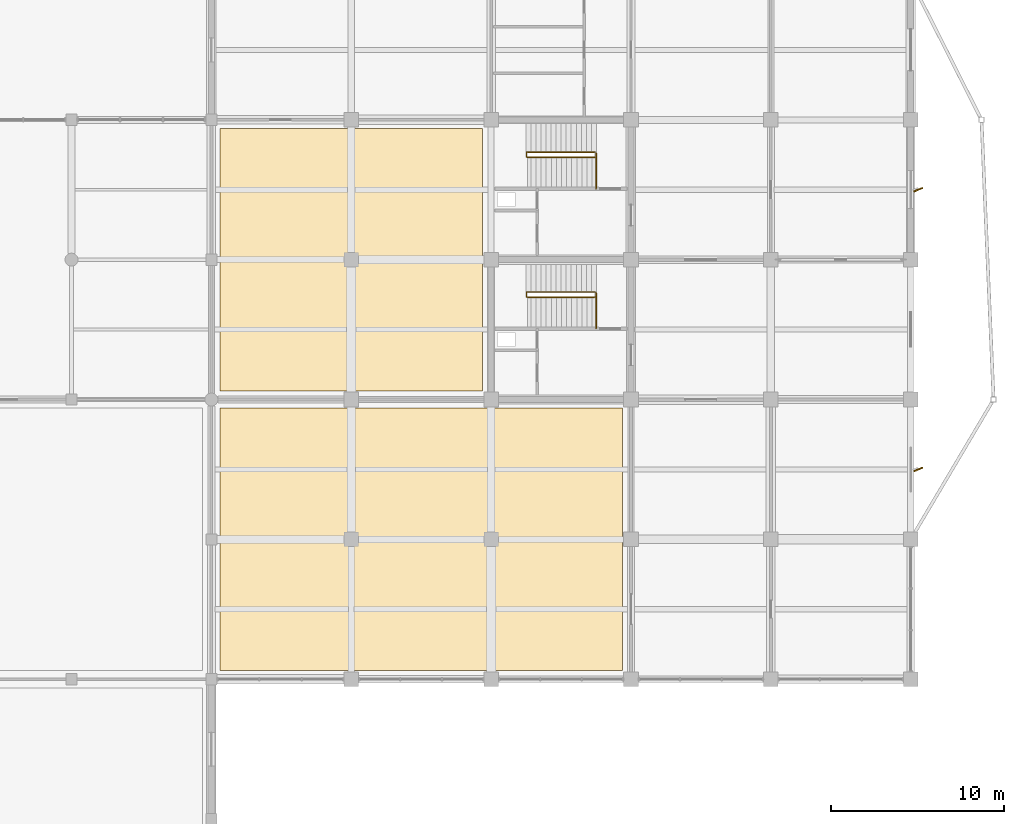
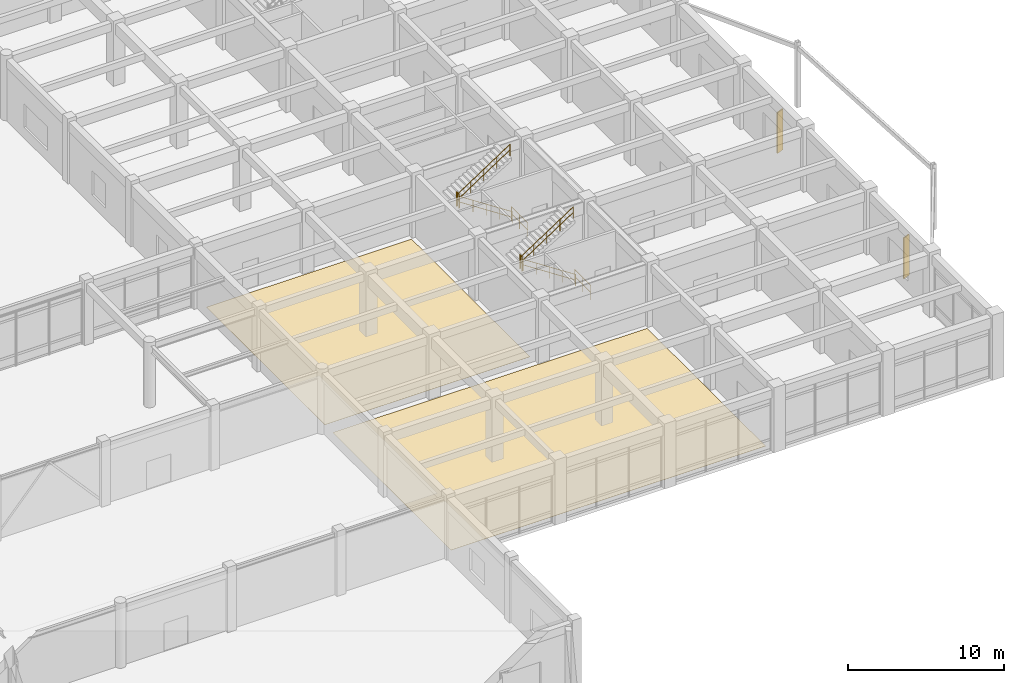
# One storey, part 95 of 99: 8 railings, 2 coverings, 2 shading devices.
"""IFC4 building model written with IfcOpenShell, lengths in metres."""

from ifc_helpers import new_model, si_unit, direction, frame, origin, origin_2d, place, context, subcontext, project, spatial, polyline, rectangle, circle, outline, extrude, material, layer, layer_set, type_object, element, save


model = new_model("IFC4")

# Units and contexts
model_context = context("Model", 3, precision=1e-05, world=origin(), true_north=direction((0.0, 1.0)))
body_context = subcontext(model_context, "Body", "Model", "MODEL_VIEW")
ifc_project = project(units=[si_unit("LENGTHUNIT", "METRE"), si_unit("AREAUNIT", "SQUARE_METRE"), si_unit("VOLUMEUNIT", "CUBIC_METRE"), si_unit("PLANEANGLEUNIT", "RADIAN"), si_unit("MASSUNIT", "GRAM", prefix="KILO")], contexts=[model_context])

# Site, building, storey
site_placement = place(None, origin())
site = spatial("IfcSite", under=ifc_project, at=site_placement, CompositionType="ELEMENT")
building_placement = place(site_placement, origin())
building = spatial("IfcBuilding", under=site, at=building_placement, Name="Vaudrelin Polytechnic", CompositionType="ELEMENT")
storey_placement = place(building_placement, origin())
storey = spatial("IfcBuildingStorey", under=building, at=storey_placement, Name="L00", CompositionType="ELEMENT", Elevation=0.0)

# Coverings
ifc_material_1 = material(Name="Seamless chemical-resistant laboratory epoxy", Category="flooring")
ifc_layer = layer(ifc_material_1, 0.011962890625)
ifc_layer_set = layer_set([ifc_layer], Name="Seamless chemical-resistant laboratory epoxy")
covering_type = type_object("IfcCoveringType", Name="COV-FLR-EPX", PredefinedType="FLOORING", material=ifc_layer_set)
covering_1_placement = place(storey_placement, origin())
element("IfcCovering", 1, at=covering_1_placement, inside=storey, type_object=covering_type, Name="Chemical-resistant flooring L00-020", PredefinedType="FLOORING", context=body_context, shape_type="SweptSolid", body=[
    extrude(outline(polyline([(130.10009765625, 16.699951171875), (153.39990234375, 16.699951171875), (153.39990234375, 31.89990234375), (130.10009765625, 31.89990234375), (130.10009765625, 16.699951171875)])), origin(), (0.0, 0.0, 1.0), 0.011962890625),
])
covering_2_placement = place(storey_placement, origin())
element("IfcCovering", 2, at=covering_2_placement, inside=storey, type_object=covering_type, Name="Chemical-resistant flooring L00-021", PredefinedType="FLOORING", context=body_context, shape_type="SweptSolid", body=[
    extrude(outline(polyline([(130.10009765625, 32.89990234375), (145.300048828125, 32.89990234375), (145.300048828125, 48.10009765625), (130.10009765625, 48.10009765625), (130.10009765625, 32.89990234375)])), origin(), (0.0, 0.0, 1.0), 0.011962890625),
])

# Shading devices
ifc_material_2 = material(Name="Anodised perforated aluminium AA 5005", Category="aluminium")
shading_device_type = type_object("IfcShadingDeviceType", Name="ENV-SF-FIN1", PredefinedType="USERDEFINED", material=ifc_material_2)
for number, where, z_axis, x_axis, name in (
    (3, (170.534912109375, 28.35009765625, 0.2001953125), (0.0, 0.0, 1.0), (0.927183854567, 0.374606593416, 0.0), "Perforated solar fin SF-011"),
    (4, (170.534912109375, 44.550048828125, 0.2001953125), (0.0, 0.0, 1.0), (0.927183854567, 0.374606593416, 0.0), "Perforated solar fin SF-012"),
):
    element("IfcShadingDevice", number, at=place(storey_placement, frame(where, z_axis=z_axis, x_axis=x_axis)), inside=storey, type_object=shading_device_type, Name=name, ObjectType="SOLAR FIN", PredefinedType="USERDEFINED", context=body_context, shape_type="SweptSolid", body=[
        extrude(rectangle(XDim=0.550048828125, YDim=0.080078125, at=origin_2d()), origin(), (0.0, 0.0, 1.0), 3.199951171875),
    ])

# Railings
ifc_material_3 = material(Name="Brushed stainless steel AISI 304", Category="steel")
railing_type_1 = type_object("IfcRailingType", Name="RAL-GR-INT", PredefinedType="GUARDRAIL", material=ifc_material_3)
railing_1_placement = place(storey_placement, frame((151.8798828125, 36.510009765625, 0.0)))
element("IfcRailing", 5, at=railing_1_placement, inside=storey, type_object=railing_type_1, Name="ST-08-B1 upper well guardrail", PredefinedType="GUARDRAIL", context=body_context, shape_type="SweptSolid", body=[
    extrude(circle(Radius=0.02392578125, at=origin_2d()), frame((0.0, 0.023193359375, 1.09619140625), z_axis=(0.0, 1.0, 0.0), x_axis=(-1.0, 0.0, 0.0)), (0.0, 0.0, 1.0), 2.02392578125),
    extrude(circle(Radius=0.02392578125, at=origin_2d()), frame((0.0, 0.023193359375, 0.56005859375), z_axis=(0.0, 1.0, 0.0), x_axis=(-1.0, 0.0, 0.0)), (0.0, 0.0, 1.0), 2.02392578125),
    extrude(circle(Radius=0.02099609375, at=origin_2d()), origin(), (0.0, 0.0, 1.0), 1.1201171875),
    extrude(circle(Radius=0.02099609375, at=origin_2d()), frame((0.0, 1.03515625, 0.0)), (0.0, 0.0, 1.0), 1.1201171875),
    extrude(circle(Radius=0.02099609375, at=origin_2d()), frame((0.0, 2.070068359375, 0.0)), (0.0, 0.0, 1.0), 1.1201171875),
])
railing_2_placement = place(storey_placement, frame((147.85009765625, 38.340087890625, 2.550048828125)))
element("IfcRailing", 6, at=railing_2_placement, inside=storey, type_object=railing_type_1, Name="ST-08-L00 landing well guardrail", PredefinedType="GUARDRAIL", context=body_context, shape_type="SweptSolid", body=[
    extrude(circle(Radius=0.02392578125, at=origin_2d()), frame((0.0, 0.023193359375, 1.09619140625), z_axis=(0.0, 1.0, 0.0), x_axis=(-1.0, 0.0, 0.0)), (0.0, 0.0, 1.0), 0.23388671875),
    extrude(circle(Radius=0.02392578125, at=origin_2d()), frame((0.0, 0.023193359375, 0.56005859375), z_axis=(0.0, 1.0, 0.0), x_axis=(-1.0, 0.0, 0.0)), (0.0, 0.0, 1.0), 0.23388671875),
    extrude(circle(Radius=0.02099609375, at=origin_2d()), origin(), (0.0, 0.0, 1.0), 1.1201171875),
    extrude(circle(Radius=0.02099609375, at=origin_2d()), frame((0.0, 0.280029296875, 0.0)), (0.0, 0.0, 1.0), 1.1201171875),
])
railing_3_placement = place(storey_placement, frame((151.8798828125, 44.610107421875, 0.0)))
element("IfcRailing", 7, at=railing_3_placement, inside=storey, type_object=railing_type_1, Name="ST-12-B1 upper well guardrail", PredefinedType="GUARDRAIL", context=body_context, shape_type="SweptSolid", body=[
    extrude(circle(Radius=0.02392578125, at=origin_2d()), frame((0.0, 0.023193359375, 1.09619140625), z_axis=(0.0, 1.0, 0.0), x_axis=(-1.0, 0.0, 0.0)), (0.0, 0.0, 1.0), 2.023681640625),
    extrude(circle(Radius=0.02392578125, at=origin_2d()), frame((0.0, 0.023193359375, 0.56005859375), z_axis=(0.0, 1.0, 0.0), x_axis=(-1.0, 0.0, 0.0)), (0.0, 0.0, 1.0), 2.023681640625),
    extrude(circle(Radius=0.02099609375, at=origin_2d()), origin(), (0.0, 0.0, 1.0), 1.1201171875),
    extrude(circle(Radius=0.02099609375, at=origin_2d()), frame((0.0, 1.034912109375, 0.0)), (0.0, 0.0, 1.0), 1.1201171875),
    extrude(circle(Radius=0.02099609375, at=origin_2d()), frame((0.0, 2.06982421875, 0.0)), (0.0, 0.0, 1.0), 1.1201171875),
])
railing_4_placement = place(storey_placement, frame((147.85009765625, 46.43994140625, 2.550048828125)))
element("IfcRailing", 8, at=railing_4_placement, inside=storey, type_object=railing_type_1, Name="ST-12-L00 landing well guardrail", PredefinedType="GUARDRAIL", context=body_context, shape_type="SweptSolid", body=[
    extrude(circle(Radius=0.02392578125, at=origin_2d()), frame((0.0, 0.023193359375, 1.09619140625), z_axis=(0.0, 1.0, 0.0), x_axis=(-1.0, 0.0, 0.0)), (0.0, 0.0, 1.0), 0.23388671875),
    extrude(circle(Radius=0.02392578125, at=origin_2d()), frame((0.0, 0.023193359375, 0.56005859375), z_axis=(0.0, 1.0, 0.0), x_axis=(-1.0, 0.0, 0.0)), (0.0, 0.0, 1.0), 0.23388671875),
    extrude(circle(Radius=0.02099609375, at=origin_2d()), origin(), (0.0, 0.0, 1.0), 1.1201171875),
    extrude(circle(Radius=0.02099609375, at=origin_2d()), frame((0.0, 0.280029296875, 0.0)), (0.0, 0.0, 1.0), 1.1201171875),
])
railing_type_2 = type_object("IfcRailingType", Name="RAL-HR-STR", PredefinedType="HANDRAIL", material=ifc_material_3)
railing_5_placement = place(storey_placement, frame((151.800048828125, 38.330078125, 0.0)))
element("IfcRailing", 9, at=railing_5_placement, inside=storey, type_object=railing_type_2, Name="ST-08-L00 flight 1 handrail", PredefinedType="HANDRAIL", context=body_context, shape_type="SweptSolid", body=[
    extrude(circle(Radius=0.02392578125, at=origin_2d()), frame((-0.019287109375, 0.0, 0.908447265625), z_axis=(-0.836329188974, 0.0, 0.548227587476), x_axis=(0.0, -1.0, 0.0)), (0.0, 0.0, 1.0), 4.605224609375),
    extrude(circle(Radius=0.02392578125, at=origin_2d()), frame((-0.019287109375, 0.0, 0.47265625), z_axis=(-0.836329188974, 0.0, 0.548227587476), x_axis=(0.0, -1.0, 0.0)), (0.0, 0.0, 1.0), 4.605224609375),
    extrude(circle(Radius=0.02099609375, at=origin_2d()), origin(), (0.0, 0.0, 1.0), 0.919921875),
    extrude(circle(Radius=0.02099609375, at=origin_2d()), frame((-0.97265625, 0.0, 0.637451171875)), (0.0, 0.0, 1.0), 0.919921875),
    extrude(circle(Radius=0.02099609375, at=origin_2d()), frame((-1.945068359375, 0.0, 1.27490234375)), (0.0, 0.0, 1.0), 0.919921875),
    extrude(circle(Radius=0.02099609375, at=origin_2d()), frame((-2.91748046875, 0.0, 1.91259765625)), (0.0, 0.0, 1.0), 0.919921875),
    extrude(circle(Radius=0.02099609375, at=origin_2d()), frame((-3.89013671875, 0.0, 2.550048828125)), (0.0, 0.0, 1.0), 0.919921875),
])
railing_6_placement = place(storey_placement, frame((147.909912109375, 38.6298828125, 2.550048828125)))
element("IfcRailing", 10, at=railing_6_placement, inside=storey, type_object=railing_type_2, Name="ST-08-L00 flight 2 handrail", PredefinedType="HANDRAIL", context=body_context, shape_type="SweptSolid", body=[
    extrude(circle(Radius=0.02392578125, at=origin_2d()), frame((0.019287109375, 0.0, 0.908447265625), z_axis=(0.836329188974, 0.0, 0.548227587476), x_axis=(0.0, 1.0, 0.0)), (0.0, 0.0, 1.0), 4.605224609375),
    extrude(circle(Radius=0.02392578125, at=origin_2d()), frame((0.019287109375, 0.0, 0.47265625), z_axis=(0.836329188974, 0.0, 0.548227587476), x_axis=(0.0, 1.0, 0.0)), (0.0, 0.0, 1.0), 4.605224609375),
    extrude(circle(Radius=0.02099609375, at=origin_2d()), origin(), (0.0, 0.0, 1.0), 0.919921875),
    extrude(circle(Radius=0.02099609375, at=origin_2d()), frame((0.97265625, 0.0, 0.637451171875)), (0.0, 0.0, 1.0), 0.919921875),
    extrude(circle(Radius=0.02099609375, at=origin_2d()), frame((1.945068359375, 0.0, 1.27490234375)), (0.0, 0.0, 1.0), 0.919921875),
    extrude(circle(Radius=0.02099609375, at=origin_2d()), frame((2.91748046875, 0.0, 1.91259765625)), (0.0, 0.0, 1.0), 0.919921875),
    extrude(circle(Radius=0.02099609375, at=origin_2d()), frame((3.89013671875, 0.0, 2.550048828125)), (0.0, 0.0, 1.0), 0.919921875),
])
railing_7_placement = place(storey_placement, frame((151.800048828125, 46.429931640625, 0.0)))
element("IfcRailing", 11, at=railing_7_placement, inside=storey, type_object=railing_type_2, Name="ST-12-L00 flight 1 handrail", PredefinedType="HANDRAIL", context=body_context, shape_type="SweptSolid", body=[
    extrude(circle(Radius=0.02392578125, at=origin_2d()), frame((-0.019287109375, 0.0, 0.908447265625), z_axis=(-0.836329188974, 0.0, 0.548227587476), x_axis=(0.0, -1.0, 0.0)), (0.0, 0.0, 1.0), 4.605224609375),
    extrude(circle(Radius=0.02392578125, at=origin_2d()), frame((-0.019287109375, 0.0, 0.47265625), z_axis=(-0.836329188974, 0.0, 0.548227587476), x_axis=(0.0, -1.0, 0.0)), (0.0, 0.0, 1.0), 4.605224609375),
    extrude(circle(Radius=0.02099609375, at=origin_2d()), origin(), (0.0, 0.0, 1.0), 0.919921875),
    extrude(circle(Radius=0.02099609375, at=origin_2d()), frame((-0.97265625, 0.0, 0.637451171875)), (0.0, 0.0, 1.0), 0.919921875),
    extrude(circle(Radius=0.02099609375, at=origin_2d()), frame((-1.945068359375, 0.0, 1.27490234375)), (0.0, 0.0, 1.0), 0.919921875),
    extrude(circle(Radius=0.02099609375, at=origin_2d()), frame((-2.91748046875, 0.0, 1.91259765625)), (0.0, 0.0, 1.0), 0.919921875),
    extrude(circle(Radius=0.02099609375, at=origin_2d()), frame((-3.89013671875, 0.0, 2.550048828125)), (0.0, 0.0, 1.0), 0.919921875),
])
railing_8_placement = place(storey_placement, frame((147.909912109375, 46.72998046875, 2.550048828125)))
element("IfcRailing", 12, at=railing_8_placement, inside=storey, type_object=railing_type_2, Name="ST-12-L00 flight 2 handrail", PredefinedType="HANDRAIL", context=body_context, shape_type="SweptSolid", body=[
    extrude(circle(Radius=0.02392578125, at=origin_2d()), frame((0.019287109375, 0.0, 0.908447265625), z_axis=(0.836329188974, 0.0, 0.548227587476), x_axis=(0.0, 1.0, 0.0)), (0.0, 0.0, 1.0), 4.605224609375),
    extrude(circle(Radius=0.02392578125, at=origin_2d()), frame((0.019287109375, 0.0, 0.47265625), z_axis=(0.836329188974, 0.0, 0.548227587476), x_axis=(0.0, 1.0, 0.0)), (0.0, 0.0, 1.0), 4.605224609375),
    extrude(circle(Radius=0.02099609375, at=origin_2d()), origin(), (0.0, 0.0, 1.0), 0.919921875),
    extrude(circle(Radius=0.02099609375, at=origin_2d()), frame((0.97265625, 0.0, 0.637451171875)), (0.0, 0.0, 1.0), 0.919921875),
    extrude(circle(Radius=0.02099609375, at=origin_2d()), frame((1.945068359375, 0.0, 1.27490234375)), (0.0, 0.0, 1.0), 0.919921875),
    extrude(circle(Radius=0.02099609375, at=origin_2d()), frame((2.91748046875, 0.0, 1.91259765625)), (0.0, 0.0, 1.0), 0.919921875),
    extrude(circle(Radius=0.02099609375, at=origin_2d()), frame((3.89013671875, 0.0, 2.550048828125)), (0.0, 0.0, 1.0), 0.919921875),
])

save(model, "model.ifc")
